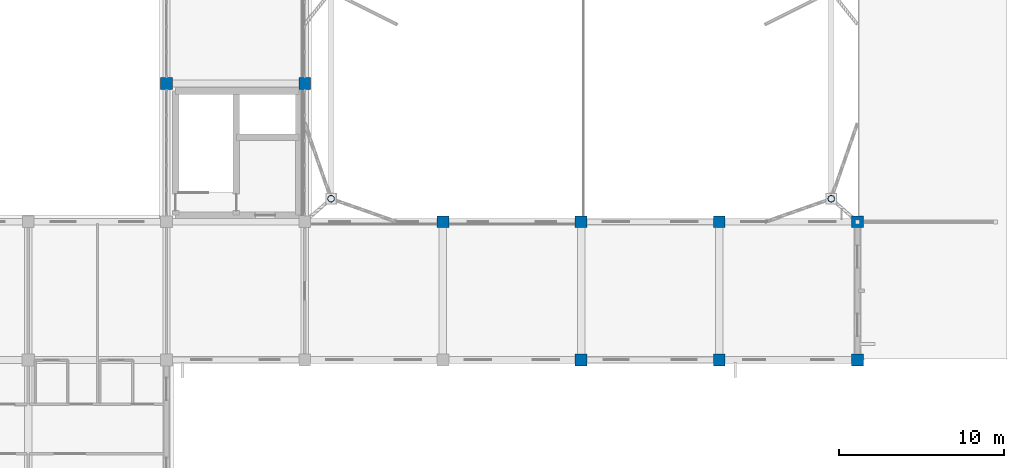
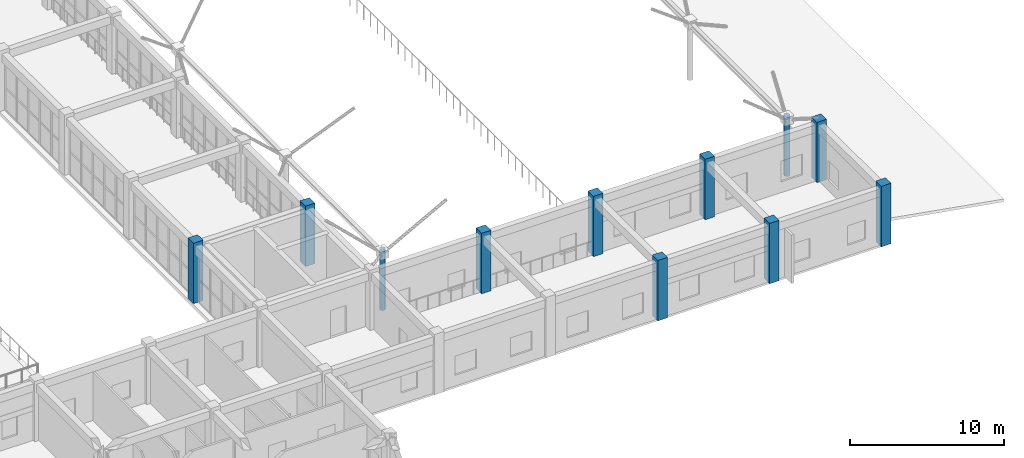
# One storey, part 12 of 158: 11 columns.
"""IFC4 building model written with IfcOpenShell, lengths in metres."""

from ifc_helpers import new_model, si_unit, direction, frame, origin, origin_2d, place, context, subcontext, project, spatial, rectangle, hollow_circle, extrude, material, material_profile, profile_set, type_object, element, save


model = new_model("IFC4")

# Units and contexts
model_context = context("Model", 3, precision=1e-05, world=origin(), true_north=direction((0.0, 1.0)))
body_context = subcontext(model_context, "Body", "Model", "MODEL_VIEW")
ifc_project = project(units=[si_unit("LENGTHUNIT", "METRE"), si_unit("AREAUNIT", "SQUARE_METRE"), si_unit("VOLUMEUNIT", "CUBIC_METRE"), si_unit("PLANEANGLEUNIT", "RADIAN"), si_unit("MASSUNIT", "GRAM", prefix="KILO")], contexts=[model_context])

# Site, building, storey
site_placement = place(None, origin())
site = spatial("IfcSite", under=ifc_project, at=site_placement, CompositionType="ELEMENT")
building_placement = place(site_placement, origin())
building = spatial("IfcBuilding", under=site, at=building_placement, Name="Trelvath General Hospital", CompositionType="ELEMENT")
storey_placement = place(building_placement, frame((0.0, 0.0, 8.10009765625)))
storey = spatial("IfcBuildingStorey", under=building, at=storey_placement, Name="L02", CompositionType="ELEMENT", Elevation=8.10009765625)

# Columns
ifc_material_1 = material(Name="Concrete C40/50", Category="concrete")
ifc_material_profile_1 = material_profile(ifc_material_1, rectangle(XDim=0.719970703125, YDim=0.719970703125, at=origin_2d()), Name="RC720x720")
ifc_profile_set_1 = profile_set([ifc_material_profile_1], Name="Concrete C40/50")
column_type_1 = type_object("IfcColumnType", Name="Column RC720", PredefinedType="COLUMN", material=ifc_profile_set_1)
for number, where, z_axis, x_axis, name in (
    (1, (134.39990234375, 33.60009765625, 0.0), (0.0, 0.0, 1.0), (1.0, 0.0, 0.0), "Column C-17E L02"),
    (2, (142.800048828125, 33.60009765625, 0.0), (0.0, 0.0, 1.0), (1.0, 0.0, 0.0), "Column C-18E L02"),
    (3, (151.199951171875, 25.199951171875, 0.0), (0.0, 0.0, 1.0), (1.0, 0.0, 0.0), "Column C-19D L02"),
    (4, (159.60009765625, 16.800048828125, 0.0), (0.0, 0.0, 1.0), (1.0, 0.0, 0.0), "Column C-20C L02"),
    (5, (159.60009765625, 25.199951171875, 0.0), (0.0, 0.0, 1.0), (1.0, 0.0, 0.0), "Column C-20D L02"),
    (6, (168.0, 16.800048828125, 0.0), (0.0, 0.0, 1.0), (1.0, 0.0, 0.0), "Column C-21C L02"),
    (7, (168.0, 25.199951171875, 0.0), (0.0, 0.0, 1.0), (1.0, 0.0, 0.0), "Column C-21D L02"),
    (8, (176.39990234375, 16.800048828125, 0.0), (0.0, 0.0, 1.0), (1.0, 0.0, 0.0), "Column C-22C L02"),
    (9, (176.39990234375, 25.199951171875, 0.0), (0.0, 0.0, 1.0), (1.0, 0.0, 0.0), "Column C-22D L02"),
):
    element("IfcColumn", number, at=place(storey_placement, frame(where, z_axis=z_axis, x_axis=x_axis)), inside=storey, type_object=column_type_1, Name=name, PredefinedType="COLUMN", context=body_context, shape_type="SweptSolid", body=[
        extrude(rectangle(XDim=0.719970703125, YDim=0.719970703125, at=origin_2d()), origin(), (0.0, 0.0, 1.0), 4.7998046875),
    ])
ifc_material_2 = material(Name="Steel S355", Category="steel")
ifc_material_profile_2 = material_profile(ifc_material_2, hollow_circle(Radius=0.203125, WallThickness=0.01416015625, at=origin_2d()), Name="CHS406.4x14.2")
ifc_profile_set_2 = profile_set([ifc_material_profile_2], Name="Steel S355")
column_type_2 = type_object("IfcColumnType", Name="TreeColumn CHS406", PredefinedType="COLUMN", material=ifc_profile_set_2)
for number, where, z_axis, x_axis, name in (
    (10, (144.39990234375, 26.60009765625, 0.0), (0.0, 0.0, 1.0), (1.0, 0.0, 0.0), "Space Frame Tree Column TC-01 L02"),
    (11, (174.800048828125, 26.60009765625, 0.0), (0.0, 0.0, 1.0), (1.0, 0.0, 0.0), "Space Frame Tree Column TC-05 L02"),
):
    element("IfcColumn", number, at=place(storey_placement, frame(where, z_axis=z_axis, x_axis=x_axis)), inside=storey, type_object=column_type_2, Name=name, PredefinedType="COLUMN", context=body_context, shape_type="SweptSolid", body=[
        extrude(hollow_circle(Radius=0.203125, WallThickness=0.01416015625, at=origin_2d()), origin(), (0.0, 0.0, 1.0), 4.7998046875),
    ])

save(model, "model.ifc")
